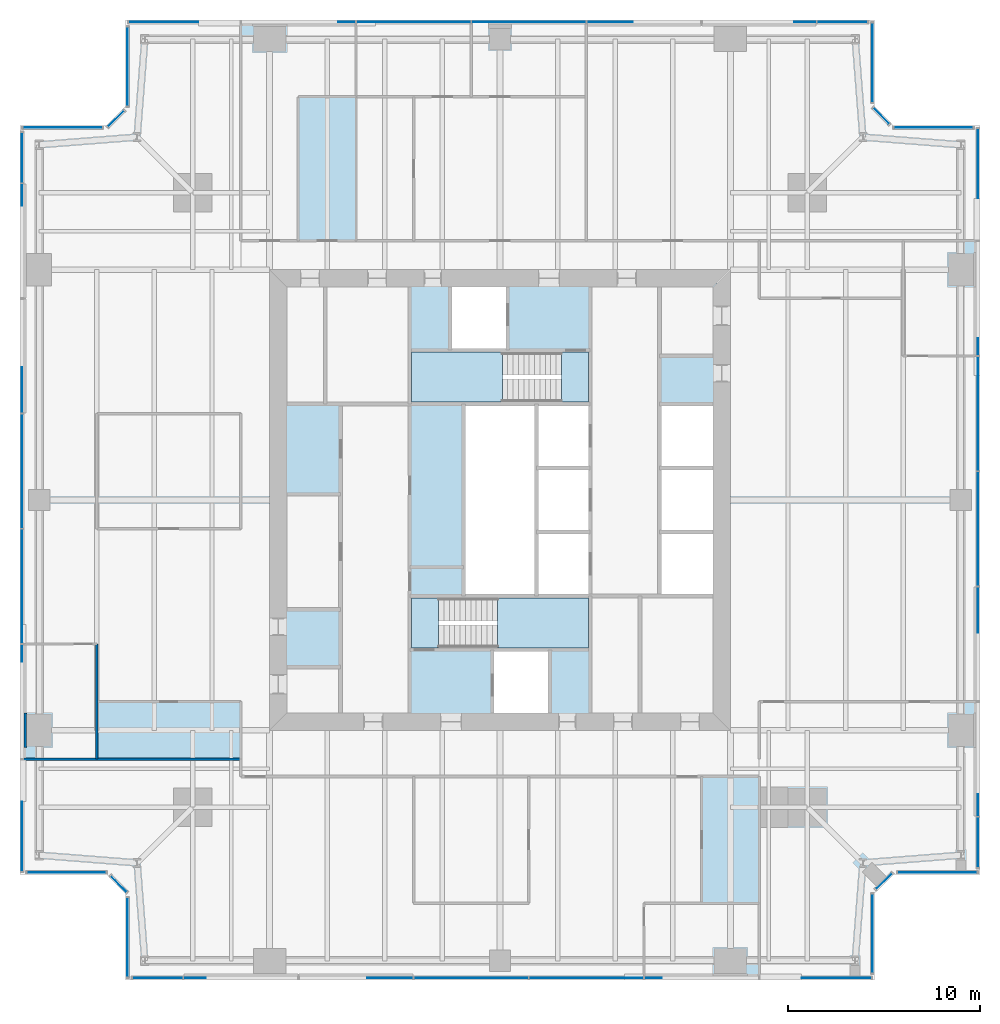
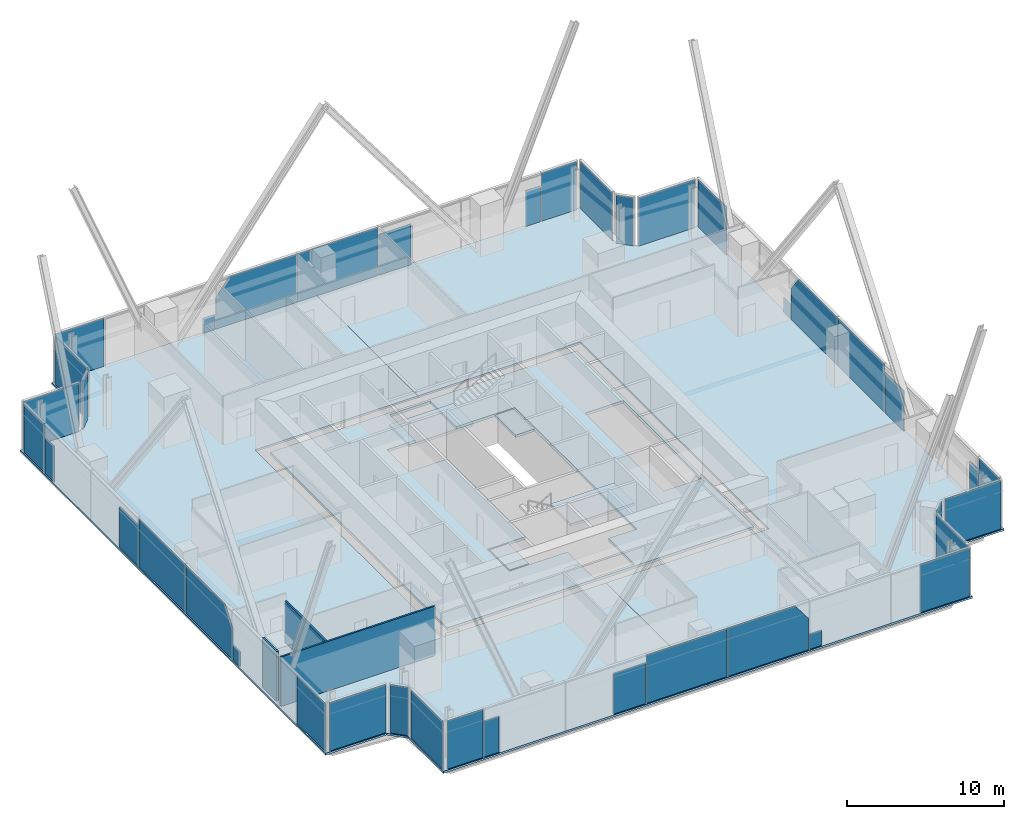
# One storey, part 8 of 13: 40 plates, 7 slabs, 3 walls, 18 elements without a shape of their own.
"""IFC4 building model written with IfcOpenShell, lengths in metres."""

from ifc_helpers import new_model, si_unit, direction, frame, frame_2d, origin, origin_2d, place, context, subcontext, project, spatial, polyline, rectangle, outline, extrude, material, layer, layer_set, type_object, element, aggregate, save


model = new_model("IFC4")

# Units and contexts
model_context = context("Model", 3, precision=1e-05, world=origin(), true_north=direction((0.0, 1.0)))
body_context = subcontext(model_context, "Body", "Model", "MODEL_VIEW")
ifc_project = project(units=[si_unit("LENGTHUNIT", "METRE"), si_unit("AREAUNIT", "SQUARE_METRE"), si_unit("VOLUMEUNIT", "CUBIC_METRE"), si_unit("PLANEANGLEUNIT", "RADIAN"), si_unit("MASSUNIT", "GRAM", prefix="KILO")], contexts=[model_context])

# Site, building, storey
site_placement = place(None, origin())
site = spatial("IfcSite", under=ifc_project, at=site_placement, CompositionType="ELEMENT")
building_placement = place(site_placement, origin())
building = spatial("IfcBuilding", under=site, at=building_placement, Name="Fenwick Lantern Interchange", CompositionType="ELEMENT")
storey_placement = place(building_placement, frame((0.0, 0.0, 201.800048828125)))
storey = spatial("IfcBuildingStorey", under=building, at=storey_placement, Name="L47", CompositionType="ELEMENT", Elevation=201.800048828125)

# Slabs
ifc_material_1 = material(Name="Concrete f'c 35 MPa", Category="concrete")
ifc_layer_1 = layer(ifc_material_1, 0.199951171875)
ifc_layer_set_1 = layer_set([ifc_layer_1], Name="CORE FLOOR SLAB 200")
slab_type_1 = type_object("IfcSlabType", Name="CORE FLOOR SLAB 200", PredefinedType="FLOOR", material=ifc_layer_set_1)
slab_1_placement = place(storey_placement, frame((0.0, 0.0, -0.199951171875)))
element("IfcSlab", 1, at=slab_1_placement, inside=storey, type_object=slab_type_1, Name="L47/SLAB/CORE", PredefinedType="FLOOR", context=body_context, shape_type="SweptSolid", body=[
    extrude(outline(polyline([(13.699951171875, 36.300048828125), (36.300048828125, 36.300048828125), (36.300048828125, 13.699951171875), (13.699951171875, 13.699951171875), (13.699951171875, 36.300048828125)]), holes=[polyline([(24.60009765625, 13.89990234375), (27.60009765625, 13.89990234375), (27.60009765625, 17.199951171875), (29.699951171875, 17.199951171875), (29.699951171875, 20.0), (29.699951171875, 23.333251953125), (29.699951171875, 26.666748046875), (29.699951171875, 30.0), (29.699951171875, 32.800048828125), (25.39990234375, 32.800048828125), (25.39990234375, 36.10009765625), (22.39990234375, 36.10009765625), (22.39990234375, 32.800048828125), (20.300048828125, 32.800048828125), (20.300048828125, 30.0), (23.10009765625, 30.0), (23.10009765625, 20.0), (20.300048828125, 20.0), (20.300048828125, 17.199951171875), (24.60009765625, 17.199951171875), (24.60009765625, 13.89990234375)]), polyline([(33.300048828125, 23.333251953125), (33.300048828125, 20.0), (36.10009765625, 20.0), (36.10009765625, 23.333251953125), (36.10009765625, 26.666748046875), (36.10009765625, 30.0), (33.300048828125, 30.0), (33.300048828125, 26.666748046875), (33.300048828125, 23.333251953125)])]), origin(), (0.0, 0.0, 1.0), 0.199951171875),
])
ifc_material_2 = material(Name="Concrete f'c 35 MPa", Category="concrete")
ifc_layer_2 = layer(ifc_material_2, 0.14990234375)
ifc_layer_set_2 = layer_set([ifc_layer_2], Name="Concrete f'c 35 MPa")
slab_type_2 = type_object("IfcSlabType", Name="FLOOR SLAB 150", PredefinedType="FLOOR", material=ifc_layer_set_2)
slab_2_placement = place(storey_placement, frame((0.0, 0.0, -0.150146484375)))
element("IfcSlab", 2, at=slab_2_placement, inside=storey, type_object=slab_type_2, Name="L47/SLAB/FW", PredefinedType="FLOOR", context=body_context, shape_type="SweptSolid", body=[
    extrude(outline(polyline([(5.5, 0.0), (5.5, 4.5), (4.5, 5.5), (0.0, 5.5), (0.0, 44.5), (4.5, 44.5), (5.5, 45.5), (5.5, 50.0), (25.0, 50.0), (25.0, 37.0), (13.0, 37.0), (13.0, 13.0), (25.0, 13.0), (25.0, 0.0), (5.5, 0.0)])), origin(), (0.0, 0.0, 1.0), 0.150146484375),
])
slab_3_placement = place(storey_placement, frame((0.0, 0.0, -0.150146484375)))
element("IfcSlab", 3, at=slab_3_placement, inside=storey, type_object=slab_type_2, Name="L47/SLAB/FE", PredefinedType="FLOOR", context=body_context, shape_type="SweptSolid", body=[
    extrude(outline(polyline([(44.5, 50.0), (44.5, 45.5), (45.5, 44.5), (50.0, 44.5), (50.0, 5.5), (45.5, 5.5), (44.5, 4.5), (44.5, 0.0), (25.0, 0.0), (25.0, 13.0), (37.0, 13.0), (37.0, 37.0), (25.0, 37.0), (25.0, 50.0), (44.5, 50.0)])), origin(), (0.0, 0.0, 1.0), 0.150146484375),
])

# Curtain wall, plates
ifc_material_3 = material(Name="Aluminium curtain wall frame", Category="aluminium")
curtain_wall_type = type_object("IfcCurtainWallType", Name="OFFICE CURTAIN WALL", PredefinedType="USERDEFINED", material=ifc_material_3)
curtain_wall_1_placement = place(storey_placement, origin())
curtain_wall_1 = element("IfcCurtainWall", 4, at=curtain_wall_1_placement, inside=storey, type_object=curtain_wall_type, Name="Office curtain wall 01", ObjectType="OFFICE CURTAIN WALL", PredefinedType="USERDEFINED")
ifc_material_4 = material(Name="Vision glass, clear low-iron double glazed", Category="glass")
ifc_layer_3 = layer(ifc_material_4, 0.031982421875)
ifc_layer_set_3 = layer_set([ifc_layer_3], Name="OFFICE CURTAIN WALL PANEL 32")
plate_type = type_object("IfcPlateType", Name="OFFICE CURTAIN WALL PANEL 32", PredefinedType="CURTAIN_PANEL", material=ifc_layer_set_3)
plate_1_placement = place(storey_placement, frame((7.166259765625, 0.10009765625, 0.0), z_axis=(0.0, 0.0, 1.0), x_axis=(1.0, 0.0, 0.0)))
plate_1 = element("IfcPlate", 5, at=plate_1_placement, type_object=plate_type, Name="L47/CW/01/P00", PredefinedType="CURTAIN_PANEL", context=body_context, shape_type="SweptSolid", body=[
    extrude(rectangle(XDim=2.6025390625, YDim=0.031982421875, at=origin_2d()), origin(), (0.0, 0.0, 1.0), 3.75),
])
plate_2_placement = place(storey_placement, frame((5.60009765625, 0.10009765625, 0.0), z_axis=(0.0, 0.0, 1.0), x_axis=(1.0, 0.0, 0.0)))
plate_2 = element("IfcPlate", 6, at=plate_2_placement, type_object=plate_type, Name="L47/CW/01/P01a", PredefinedType="CURTAIN_PANEL", context=body_context, shape_type="SweptSolid", body=[
    extrude(outline(polyline([(2.9326171875, 0.0), (4.072509765625, 0.0), (4.072509765625, 2.80224609375), (2.9326171875, 2.80224609375), (2.9326171875, 0.0)])), frame((0.0, 0.01611328125, 0.0), z_axis=(0.0, -1.0, 0.0), x_axis=(1.0, 0.0, 0.0)), (0.0, 0.0, 1.0), 0.031982421875),
])
plate_3_placement = place(storey_placement, frame((5.60009765625, 0.10009765625, 0.0), z_axis=(0.0, 0.0, 1.0), x_axis=(1.0, 0.0, 0.0)))
plate_3 = element("IfcPlate", 7, at=plate_3_placement, type_object=plate_type, Name="L47/CW/01/P02a", PredefinedType="CURTAIN_PANEL", context=body_context, shape_type="SweptSolid", body=[
    extrude(outline(polyline([(12.484619140625, 0.0), (14.867431640625, 0.0), (14.867431640625, 3.17333984375), (12.484619140625, 3.17333984375), (12.484619140625, 0.0)])), frame((0.0, 0.01611328125, 0.0), z_axis=(0.0, -1.0, 0.0), x_axis=(1.0, 0.0, 0.0)), (0.0, 0.0, 1.0), 0.031982421875),
])
plate_4_placement = place(storey_placement, frame((23.5, 0.10009765625, 0.0), z_axis=(0.0, 0.0, 1.0), x_axis=(1.0, 0.0, 0.0)))
plate_4 = element("IfcPlate", 8, at=plate_4_placement, type_object=plate_type, Name="L47/CW/01/P03", PredefinedType="CURTAIN_PANEL", context=body_context, shape_type="SweptSolid", body=[
    extrude(rectangle(XDim=5.93505859375, YDim=0.031982421875, at=origin_2d()), origin(), (0.0, 0.0, 1.0), 3.75),
])
plate_5_placement = place(storey_placement, frame((5.60009765625, 0.10009765625, 0.0), z_axis=(0.0, 0.0, 1.0), x_axis=(1.0, 0.0, 0.0)))
plate_5 = element("IfcPlate", 9, at=plate_5_placement, type_object=plate_type, Name="L47/CW/01/P04a", PredefinedType="CURTAIN_PANEL", context=body_context, shape_type="SweptSolid", body=[
    extrude(outline(polyline([(20.9326171875, 0.0), (26.867431640625, 0.0), (26.867431640625, 2.437255859375), (25.883056640625, 3.75), (20.9326171875, 3.75), (20.9326171875, 0.0)])), frame((0.0, 0.01611328125, 0.0), z_axis=(0.0, -1.0, 0.0), x_axis=(1.0, 0.0, 0.0)), (0.0, 0.0, 1.0), 0.031982421875),
])
plate_6_placement = place(storey_placement, frame((5.60009765625, 0.10009765625, 0.0), z_axis=(0.0, 0.0, 1.0), x_axis=(1.0, 0.0, 0.0)))
plate_6 = element("IfcPlate", 10, at=plate_6_placement, type_object=plate_type, Name="L47/CW/01/P05a", PredefinedType="CURTAIN_PANEL", context=body_context, shape_type="SweptSolid", body=[
    extrude(outline(polyline([(26.9326171875, 0.0), (27.8125, 0.0), (27.8125, 1.17724609375), (26.9326171875, 1.17724609375), (26.9326171875, 0.0)])), frame((0.0, 0.01611328125, 0.0), z_axis=(0.0, -1.0, 0.0), x_axis=(1.0, 0.0, 0.0)), (0.0, 0.0, 1.0), 0.031982421875),
])
plate_7_placement = place(storey_placement, frame((5.60009765625, 0.10009765625, 0.0), z_axis=(0.0, 0.0, 1.0), x_axis=(1.0, 0.0, 0.0)))
plate_7 = element("IfcPlate", 11, at=plate_7_placement, type_object=plate_type, Name="L47/CW/01/P06a", PredefinedType="CURTAIN_PANEL", context=body_context, shape_type="SweptSolid", body=[
    extrude(outline(polyline([(35.11474609375, 0.0), (38.735107421875, 0.0), (38.735107421875, 3.75), (35.11474609375, 3.75), (35.11474609375, 0.0)])), frame((0.0, 0.01611328125, 0.0), z_axis=(0.0, -1.0, 0.0), x_axis=(1.0, 0.0, 0.0)), (0.0, 0.0, 1.0), 0.031982421875),
])
aggregate(curtain_wall_1, [plate_1, plate_2, plate_3, plate_4, plate_5, plate_6, plate_7])

# Curtain wall, plate
curtain_wall_2_placement = place(storey_placement, origin())
curtain_wall_2 = element("IfcCurtainWall", 12, at=curtain_wall_2_placement, inside=storey, type_object=curtain_wall_type, Name="Office curtain wall 02", ObjectType="OFFICE CURTAIN WALL", PredefinedType="USERDEFINED")
plate_8_placement = place(storey_placement, frame((44.39990234375, 2.420654296875, 0.0), z_axis=(0.0, 0.0, 1.0), x_axis=(0.0, 1.0, 0.0)))
plate_8 = element("IfcPlate", 13, at=plate_8_placement, type_object=plate_type, Name="L47/CW/02/P00", PredefinedType="CURTAIN_PANEL", context=body_context, shape_type="SweptSolid", body=[
    extrude(rectangle(XDim=4.111328125, YDim=0.031982421875, at=origin_2d()), origin(), (0.0, 0.0, 1.0), 3.75),
])
aggregate(curtain_wall_2, [plate_8])

curtain_wall_3_placement = place(storey_placement, origin())
curtain_wall_3 = element("IfcCurtainWall", 14, at=curtain_wall_3_placement, inside=storey, type_object=curtain_wall_type, Name="Office curtain wall 03", ObjectType="OFFICE CURTAIN WALL", PredefinedType="USERDEFINED")
plate_9_placement = place(storey_placement, frame((45.0, 5.141357421875, 0.0), z_axis=(0.0, 0.0, 1.0), x_axis=(0.707106781187, 0.707106781187, 0.0)))
plate_9 = element("IfcPlate", 15, at=plate_9_placement, type_object=plate_type, Name="L47/CW/03/P00", PredefinedType="CURTAIN_PANEL", context=body_context, shape_type="SweptSolid", body=[
    extrude(rectangle(XDim=1.1669921875, YDim=0.031982421875, at=origin_2d()), origin(), (0.0, 0.0, 1.0), 3.75),
])
aggregate(curtain_wall_3, [plate_9])

curtain_wall_4_placement = place(storey_placement, origin())
curtain_wall_4 = element("IfcCurtainWall", 16, at=curtain_wall_4_placement, inside=storey, type_object=curtain_wall_type, Name="Office curtain wall 04", ObjectType="OFFICE CURTAIN WALL", PredefinedType="USERDEFINED")
plate_10_placement = place(storey_placement, frame((47.779296875, 5.60009765625, 0.0), z_axis=(0.0, 0.0, 1.0), x_axis=(1.0, 0.0, 0.0)))
plate_10 = element("IfcPlate", 17, at=plate_10_placement, type_object=plate_type, Name="L47/CW/04/P00", PredefinedType="CURTAIN_PANEL", context=body_context, shape_type="SweptSolid", body=[
    extrude(rectangle(XDim=4.111328125, YDim=0.031982421875, at=origin_2d()), origin(), (0.0, 0.0, 1.0), 3.75),
])
aggregate(curtain_wall_4, [plate_10])

# Curtain wall, plates
curtain_wall_5_placement = place(storey_placement, origin())
curtain_wall_5 = element("IfcCurtainWall", 18, at=curtain_wall_5_placement, inside=storey, type_object=curtain_wall_type, Name="Office curtain wall 05", ObjectType="OFFICE CURTAIN WALL", PredefinedType="USERDEFINED")
plate_11_placement = place(storey_placement, frame((49.89990234375, 7.166259765625, 0.0), z_axis=(0.0, 0.0, 1.0), x_axis=(0.0, 1.0, 0.0)))
plate_11 = element("IfcPlate", 19, at=plate_11_placement, type_object=plate_type, Name="L47/CW/05/P00", PredefinedType="CURTAIN_PANEL", context=body_context, shape_type="SweptSolid", body=[
    extrude(rectangle(XDim=2.6025390625, YDim=0.031982421875, at=origin_2d()), origin(), (0.0, 0.0, 1.0), 3.75),
])
plate_12_placement = place(storey_placement, frame((49.89990234375, 5.60009765625, 0.0), z_axis=(0.0, 0.0, 1.0), x_axis=(0.0, 1.0, 0.0)))
plate_12 = element("IfcPlate", 20, at=plate_12_placement, type_object=plate_type, Name="L47/CW/05/P01a", PredefinedType="CURTAIN_PANEL", context=body_context, shape_type="SweptSolid", body=[
    extrude(outline(polyline([(2.9326171875, 0.0), (4.072509765625, 0.0), (4.072509765625, 2.80224609375), (2.9326171875, 2.80224609375), (2.9326171875, 0.0)])), frame((0.0, 0.01611328125, 0.0), z_axis=(0.0, -1.0, 0.0), x_axis=(1.0, 0.0, 0.0)), (0.0, 0.0, 1.0), 0.031982421875),
])
plate_13_placement = place(storey_placement, frame((49.89990234375, 5.60009765625, 0.0), z_axis=(0.0, 0.0, 1.0), x_axis=(0.0, 1.0, 0.0)))
plate_13 = element("IfcPlate", 21, at=plate_13_placement, type_object=plate_type, Name="L47/CW/05/P02a", PredefinedType="CURTAIN_PANEL", context=body_context, shape_type="SweptSolid", body=[
    extrude(outline(polyline([(12.484619140625, 0.0), (14.867431640625, 0.0), (14.867431640625, 3.17333984375), (12.484619140625, 3.17333984375), (12.484619140625, 0.0)])), frame((0.0, 0.01611328125, 0.0), z_axis=(0.0, -1.0, 0.0), x_axis=(1.0, 0.0, 0.0)), (0.0, 0.0, 1.0), 0.031982421875),
])
plate_14_placement = place(storey_placement, frame((49.89990234375, 23.5, 0.0), z_axis=(0.0, 0.0, 1.0), x_axis=(0.0, 1.0, 0.0)))
plate_14 = element("IfcPlate", 22, at=plate_14_placement, type_object=plate_type, Name="L47/CW/05/P03", PredefinedType="CURTAIN_PANEL", context=body_context, shape_type="SweptSolid", body=[
    extrude(rectangle(XDim=5.93505859375, YDim=0.031982421875, at=origin_2d()), origin(), (0.0, 0.0, 1.0), 3.75),
])
plate_15_placement = place(storey_placement, frame((49.89990234375, 5.60009765625, 0.0), z_axis=(0.0, 0.0, 1.0), x_axis=(0.0, 1.0, 0.0)))
plate_15 = element("IfcPlate", 23, at=plate_15_placement, type_object=plate_type, Name="L47/CW/05/P04a", PredefinedType="CURTAIN_PANEL", context=body_context, shape_type="SweptSolid", body=[
    extrude(outline(polyline([(20.9326171875, 0.0), (26.867431640625, 0.0), (26.867431640625, 2.437255859375), (25.883056640625, 3.75), (20.9326171875, 3.75), (20.9326171875, 0.0)])), frame((0.0, 0.01611328125, 0.0), z_axis=(0.0, -1.0, 0.0), x_axis=(1.0, 0.0, 0.0)), (0.0, 0.0, 1.0), 0.031982421875),
])
plate_16_placement = place(storey_placement, frame((49.89990234375, 5.60009765625, 0.0), z_axis=(0.0, 0.0, 1.0), x_axis=(0.0, 1.0, 0.0)))
plate_16 = element("IfcPlate", 24, at=plate_16_placement, type_object=plate_type, Name="L47/CW/05/P05a", PredefinedType="CURTAIN_PANEL", context=body_context, shape_type="SweptSolid", body=[
    extrude(outline(polyline([(26.9326171875, 0.0), (27.8125, 0.0), (27.8125, 1.17724609375), (26.9326171875, 1.17724609375), (26.9326171875, 0.0)])), frame((0.0, 0.01611328125, 0.0), z_axis=(0.0, -1.0, 0.0), x_axis=(1.0, 0.0, 0.0)), (0.0, 0.0, 1.0), 0.031982421875),
])
plate_17_placement = place(storey_placement, frame((49.89990234375, 5.60009765625, 0.0), z_axis=(0.0, 0.0, 1.0), x_axis=(0.0, 1.0, 0.0)))
plate_17 = element("IfcPlate", 25, at=plate_17_placement, type_object=plate_type, Name="L47/CW/05/P06a", PredefinedType="CURTAIN_PANEL", context=body_context, shape_type="SweptSolid", body=[
    extrude(outline(polyline([(35.11474609375, 0.0), (38.735107421875, 0.0), (38.735107421875, 3.75), (35.11474609375, 3.75), (35.11474609375, 0.0)])), frame((0.0, 0.01611328125, 0.0), z_axis=(0.0, -1.0, 0.0), x_axis=(1.0, 0.0, 0.0)), (0.0, 0.0, 1.0), 0.031982421875),
])
aggregate(curtain_wall_5, [plate_11, plate_12, plate_13, plate_14, plate_15, plate_16, plate_17])

# Curtain wall, plate
curtain_wall_6_placement = place(storey_placement, origin())
curtain_wall_6 = element("IfcCurtainWall", 26, at=curtain_wall_6_placement, inside=storey, type_object=curtain_wall_type, Name="Office curtain wall 06", ObjectType="OFFICE CURTAIN WALL", PredefinedType="USERDEFINED")
plate_18_placement = place(storey_placement, frame((47.579345703125, 44.39990234375, 0.0), z_axis=(0.0, 0.0, 1.0), x_axis=(-1.0, 0.0, 0.0)))
plate_18 = element("IfcPlate", 27, at=plate_18_placement, type_object=plate_type, Name="L47/CW/06/P00", PredefinedType="CURTAIN_PANEL", context=body_context, shape_type="SweptSolid", body=[
    extrude(rectangle(XDim=4.111328125, YDim=0.031982421875, at=origin_2d()), origin(), (0.0, 0.0, 1.0), 3.75),
])
aggregate(curtain_wall_6, [plate_18])

curtain_wall_7_placement = place(storey_placement, origin())
curtain_wall_7 = element("IfcCurtainWall", 28, at=curtain_wall_7_placement, inside=storey, type_object=curtain_wall_type, Name="Office curtain wall 07", ObjectType="OFFICE CURTAIN WALL", PredefinedType="USERDEFINED")
plate_19_placement = place(storey_placement, frame((44.858642578125, 45.0, 0.0), z_axis=(0.0, 0.0, 1.0), x_axis=(-0.707106781187, 0.707106781187, 0.0)))
plate_19 = element("IfcPlate", 29, at=plate_19_placement, type_object=plate_type, Name="L47/CW/07/P00", PredefinedType="CURTAIN_PANEL", context=body_context, shape_type="SweptSolid", body=[
    extrude(rectangle(XDim=1.1669921875, YDim=0.031982421875, at=origin_2d()), origin(), (0.0, 0.0, 1.0), 3.75),
])
aggregate(curtain_wall_7, [plate_19])

curtain_wall_8_placement = place(storey_placement, origin())
curtain_wall_8 = element("IfcCurtainWall", 30, at=curtain_wall_8_placement, inside=storey, type_object=curtain_wall_type, Name="Office curtain wall 08", ObjectType="OFFICE CURTAIN WALL", PredefinedType="USERDEFINED")
plate_20_placement = place(storey_placement, frame((44.39990234375, 47.779296875, 0.0), z_axis=(0.0, 0.0, 1.0), x_axis=(0.0, 1.0, 0.0)))
plate_20 = element("IfcPlate", 31, at=plate_20_placement, type_object=plate_type, Name="L47/CW/08/P00", PredefinedType="CURTAIN_PANEL", context=body_context, shape_type="SweptSolid", body=[
    extrude(rectangle(XDim=4.111328125, YDim=0.031982421875, at=origin_2d()), origin(), (0.0, 0.0, 1.0), 3.75),
])
aggregate(curtain_wall_8, [plate_20])

# Curtain wall, plates
curtain_wall_9_placement = place(storey_placement, origin())
curtain_wall_9 = element("IfcCurtainWall", 32, at=curtain_wall_9_placement, inside=storey, type_object=curtain_wall_type, Name="Office curtain wall 09", ObjectType="OFFICE CURTAIN WALL", PredefinedType="USERDEFINED")
plate_21_placement = place(storey_placement, frame((42.833740234375, 49.89990234375, 0.0), z_axis=(0.0, 0.0, 1.0), x_axis=(-1.0, 0.0, 0.0)))
plate_21 = element("IfcPlate", 33, at=plate_21_placement, type_object=plate_type, Name="L47/CW/09/P00", PredefinedType="CURTAIN_PANEL", context=body_context, shape_type="SweptSolid", body=[
    extrude(rectangle(XDim=2.6025390625, YDim=0.031982421875, at=origin_2d()), origin(), (0.0, 0.0, 1.0), 3.75),
])
plate_22_placement = place(storey_placement, frame((44.39990234375, 49.89990234375, 0.0), z_axis=(0.0, 0.0, 1.0), x_axis=(-1.0, 0.0, 0.0)))
plate_22 = element("IfcPlate", 34, at=plate_22_placement, type_object=plate_type, Name="L47/CW/09/P01a", PredefinedType="CURTAIN_PANEL", context=body_context, shape_type="SweptSolid", body=[
    extrude(outline(polyline([(2.9326171875, 0.0), (4.072509765625, 0.0), (4.072509765625, 2.80224609375), (2.9326171875, 2.80224609375), (2.9326171875, 0.0)])), frame((0.0, 0.01611328125, 0.0), z_axis=(0.0, -1.0, 0.0), x_axis=(1.0, 0.0, 0.0)), (0.0, 0.0, 1.0), 0.031982421875),
])
plate_23_placement = place(storey_placement, frame((44.39990234375, 49.89990234375, 0.0), z_axis=(0.0, 0.0, 1.0), x_axis=(-1.0, 0.0, 0.0)))
plate_23 = element("IfcPlate", 35, at=plate_23_placement, type_object=plate_type, Name="L47/CW/09/P02a", PredefinedType="CURTAIN_PANEL", context=body_context, shape_type="SweptSolid", body=[
    extrude(outline(polyline([(12.484619140625, 0.0), (14.867431640625, 0.0), (14.867431640625, 3.17333984375), (12.484619140625, 3.17333984375), (12.484619140625, 0.0)])), frame((0.0, 0.01611328125, 0.0), z_axis=(0.0, -1.0, 0.0), x_axis=(1.0, 0.0, 0.0)), (0.0, 0.0, 1.0), 0.031982421875),
])
plate_24_placement = place(storey_placement, frame((26.5, 49.89990234375, 0.0), z_axis=(0.0, 0.0, 1.0), x_axis=(-1.0, 0.0, 0.0)))
plate_24 = element("IfcPlate", 36, at=plate_24_placement, type_object=plate_type, Name="L47/CW/09/P03", PredefinedType="CURTAIN_PANEL", context=body_context, shape_type="SweptSolid", body=[
    extrude(rectangle(XDim=5.93505859375, YDim=0.031982421875, at=origin_2d()), origin(), (0.0, 0.0, 1.0), 3.75),
])
plate_25_placement = place(storey_placement, frame((44.39990234375, 49.89990234375, 0.0), z_axis=(0.0, 0.0, 1.0), x_axis=(-1.0, 0.0, 0.0)))
plate_25 = element("IfcPlate", 37, at=plate_25_placement, type_object=plate_type, Name="L47/CW/09/P04a", PredefinedType="CURTAIN_PANEL", context=body_context, shape_type="SweptSolid", body=[
    extrude(outline(polyline([(20.9326171875, 0.0), (26.867431640625, 0.0), (26.867431640625, 2.437255859375), (25.883056640625, 3.75), (20.9326171875, 3.75), (20.9326171875, 0.0)])), frame((0.0, 0.01611328125, 0.0), z_axis=(0.0, -1.0, 0.0), x_axis=(1.0, 0.0, 0.0)), (0.0, 0.0, 1.0), 0.031982421875),
])
plate_26_placement = place(storey_placement, frame((44.39990234375, 49.89990234375, 0.0), z_axis=(0.0, 0.0, 1.0), x_axis=(-1.0, 0.0, 0.0)))
plate_26 = element("IfcPlate", 38, at=plate_26_placement, type_object=plate_type, Name="L47/CW/09/P05a", PredefinedType="CURTAIN_PANEL", context=body_context, shape_type="SweptSolid", body=[
    extrude(outline(polyline([(26.9326171875, 0.0), (27.8125, 0.0), (27.8125, 1.17724609375), (26.9326171875, 1.17724609375), (26.9326171875, 0.0)])), frame((0.0, 0.01611328125, 0.0), z_axis=(0.0, -1.0, 0.0), x_axis=(1.0, 0.0, 0.0)), (0.0, 0.0, 1.0), 0.031982421875),
])
plate_27_placement = place(storey_placement, frame((44.39990234375, 49.89990234375, 0.0), z_axis=(0.0, 0.0, 1.0), x_axis=(-1.0, 0.0, 0.0)))
plate_27 = element("IfcPlate", 39, at=plate_27_placement, type_object=plate_type, Name="L47/CW/09/P06a", PredefinedType="CURTAIN_PANEL", context=body_context, shape_type="SweptSolid", body=[
    extrude(outline(polyline([(35.11474609375, 0.0), (38.735107421875, 0.0), (38.735107421875, 3.75), (35.11474609375, 3.75), (35.11474609375, 0.0)])), frame((0.0, 0.01611328125, 0.0), z_axis=(0.0, -1.0, 0.0), x_axis=(1.0, 0.0, 0.0)), (0.0, 0.0, 1.0), 0.031982421875),
])
aggregate(curtain_wall_9, [plate_21, plate_22, plate_23, plate_24, plate_25, plate_26, plate_27])

# Curtain wall, plate
curtain_wall_10_placement = place(storey_placement, origin())
curtain_wall_10 = element("IfcCurtainWall", 40, at=curtain_wall_10_placement, inside=storey, type_object=curtain_wall_type, Name="Office curtain wall 10", ObjectType="OFFICE CURTAIN WALL", PredefinedType="USERDEFINED")
plate_28_placement = place(storey_placement, frame((5.60009765625, 47.579345703125, 0.0), z_axis=(0.0, 0.0, 1.0), x_axis=(0.0, -1.0, 0.0)))
plate_28 = element("IfcPlate", 41, at=plate_28_placement, type_object=plate_type, Name="L47/CW/10/P00", PredefinedType="CURTAIN_PANEL", context=body_context, shape_type="SweptSolid", body=[
    extrude(rectangle(XDim=4.111328125, YDim=0.031982421875, at=origin_2d()), origin(), (0.0, 0.0, 1.0), 3.75),
])
aggregate(curtain_wall_10, [plate_28])

curtain_wall_11_placement = place(storey_placement, origin())
curtain_wall_11 = element("IfcCurtainWall", 42, at=curtain_wall_11_placement, inside=storey, type_object=curtain_wall_type, Name="Office curtain wall 11", ObjectType="OFFICE CURTAIN WALL", PredefinedType="USERDEFINED")
plate_29_placement = place(storey_placement, frame((5.0, 44.858642578125, 0.0), z_axis=(0.0, 0.0, 1.0), x_axis=(-0.707106781187, -0.707106781187, 0.0)))
plate_29 = element("IfcPlate", 43, at=plate_29_placement, type_object=plate_type, Name="L47/CW/11/P00", PredefinedType="CURTAIN_PANEL", context=body_context, shape_type="SweptSolid", body=[
    extrude(rectangle(XDim=1.1669921875, YDim=0.031982421875, at=origin_2d()), origin(), (0.0, 0.0, 1.0), 3.75),
])
aggregate(curtain_wall_11, [plate_29])

curtain_wall_12_placement = place(storey_placement, origin())
curtain_wall_12 = element("IfcCurtainWall", 44, at=curtain_wall_12_placement, inside=storey, type_object=curtain_wall_type, Name="Office curtain wall 12", ObjectType="OFFICE CURTAIN WALL", PredefinedType="USERDEFINED")
plate_30_placement = place(storey_placement, frame((2.220703125, 44.39990234375, 0.0), z_axis=(0.0, 0.0, 1.0), x_axis=(-1.0, 0.0, 0.0)))
plate_30 = element("IfcPlate", 45, at=plate_30_placement, type_object=plate_type, Name="L47/CW/12/P00", PredefinedType="CURTAIN_PANEL", context=body_context, shape_type="SweptSolid", body=[
    extrude(rectangle(XDim=4.111328125, YDim=0.031982421875, at=origin_2d()), origin(), (0.0, 0.0, 1.0), 3.75),
])
aggregate(curtain_wall_12, [plate_30])

# Curtain wall, plates
curtain_wall_13_placement = place(storey_placement, origin())
curtain_wall_13 = element("IfcCurtainWall", 46, at=curtain_wall_13_placement, inside=storey, type_object=curtain_wall_type, Name="Office curtain wall 13", ObjectType="OFFICE CURTAIN WALL", PredefinedType="USERDEFINED")
plate_31_placement = place(storey_placement, frame((0.10009765625, 42.833740234375, 0.0), z_axis=(0.0, 0.0, 1.0), x_axis=(0.0, -1.0, 0.0)))
plate_31 = element("IfcPlate", 47, at=plate_31_placement, type_object=plate_type, Name="L47/CW/13/P00", PredefinedType="CURTAIN_PANEL", context=body_context, shape_type="SweptSolid", body=[
    extrude(rectangle(XDim=2.6025390625, YDim=0.031982421875, at=origin_2d()), origin(), (0.0, 0.0, 1.0), 3.75),
])
plate_32_placement = place(storey_placement, frame((0.10009765625, 44.39990234375, 0.0), z_axis=(0.0, 0.0, 1.0), x_axis=(0.0, -1.0, 0.0)))
plate_32 = element("IfcPlate", 48, at=plate_32_placement, type_object=plate_type, Name="L47/CW/13/P01a", PredefinedType="CURTAIN_PANEL", context=body_context, shape_type="SweptSolid", body=[
    extrude(outline(polyline([(2.9326171875, 0.0), (4.072509765625, 0.0), (4.072509765625, 2.80224609375), (2.9326171875, 2.80224609375), (2.9326171875, 0.0)])), frame((0.0, 0.01611328125, 0.0), z_axis=(0.0, -1.0, 0.0), x_axis=(1.0, 0.0, 0.0)), (0.0, 0.0, 1.0), 0.031982421875),
])
plate_33_placement = place(storey_placement, frame((0.10009765625, 44.39990234375, 0.0), z_axis=(0.0, 0.0, 1.0), x_axis=(0.0, -1.0, 0.0)))
plate_33 = element("IfcPlate", 49, at=plate_33_placement, type_object=plate_type, Name="L47/CW/13/P02a", PredefinedType="CURTAIN_PANEL", context=body_context, shape_type="SweptSolid", body=[
    extrude(outline(polyline([(12.484619140625, 0.0), (14.867431640625, 0.0), (14.867431640625, 3.17333984375), (12.484619140625, 3.17333984375), (12.484619140625, 0.0)])), frame((0.0, 0.01611328125, 0.0), z_axis=(0.0, -1.0, 0.0), x_axis=(1.0, 0.0, 0.0)), (0.0, 0.0, 1.0), 0.031982421875),
])
plate_34_placement = place(storey_placement, frame((0.10009765625, 26.5, 0.0), z_axis=(0.0, 0.0, 1.0), x_axis=(0.0, -1.0, 0.0)))
plate_34 = element("IfcPlate", 50, at=plate_34_placement, type_object=plate_type, Name="L47/CW/13/P03", PredefinedType="CURTAIN_PANEL", context=body_context, shape_type="SweptSolid", body=[
    extrude(rectangle(XDim=5.93505859375, YDim=0.031982421875, at=origin_2d()), origin(), (0.0, 0.0, 1.0), 3.75),
])
plate_35_placement = place(storey_placement, frame((0.10009765625, 44.39990234375, 0.0), z_axis=(0.0, 0.0, 1.0), x_axis=(0.0, -1.0, 0.0)))
plate_35 = element("IfcPlate", 51, at=plate_35_placement, type_object=plate_type, Name="L47/CW/13/P04a", PredefinedType="CURTAIN_PANEL", context=body_context, shape_type="SweptSolid", body=[
    extrude(outline(polyline([(20.9326171875, 0.0), (26.867431640625, 0.0), (26.867431640625, 2.437255859375), (25.883056640625, 3.75), (20.9326171875, 3.75), (20.9326171875, 0.0)])), frame((0.0, 0.01611328125, 0.0), z_axis=(0.0, -1.0, 0.0), x_axis=(1.0, 0.0, 0.0)), (0.0, 0.0, 1.0), 0.031982421875),
])
plate_36_placement = place(storey_placement, frame((0.10009765625, 44.39990234375, 0.0), z_axis=(0.0, 0.0, 1.0), x_axis=(0.0, -1.0, 0.0)))
plate_36 = element("IfcPlate", 52, at=plate_36_placement, type_object=plate_type, Name="L47/CW/13/P05a", PredefinedType="CURTAIN_PANEL", context=body_context, shape_type="SweptSolid", body=[
    extrude(outline(polyline([(26.9326171875, 0.0), (27.8125, 0.0), (27.8125, 1.17724609375), (26.9326171875, 1.17724609375), (26.9326171875, 0.0)])), frame((0.0, 0.01611328125, 0.0), z_axis=(0.0, -1.0, 0.0), x_axis=(1.0, 0.0, 0.0)), (0.0, 0.0, 1.0), 0.031982421875),
])
plate_37_placement = place(storey_placement, frame((0.10009765625, 44.39990234375, 0.0), z_axis=(0.0, 0.0, 1.0), x_axis=(0.0, -1.0, 0.0)))
plate_37 = element("IfcPlate", 53, at=plate_37_placement, type_object=plate_type, Name="L47/CW/13/P06a", PredefinedType="CURTAIN_PANEL", context=body_context, shape_type="SweptSolid", body=[
    extrude(outline(polyline([(35.11474609375, 0.0), (38.735107421875, 0.0), (38.735107421875, 3.75), (35.11474609375, 3.75), (35.11474609375, 0.0)])), frame((0.0, 0.01611328125, 0.0), z_axis=(0.0, -1.0, 0.0), x_axis=(1.0, 0.0, 0.0)), (0.0, 0.0, 1.0), 0.031982421875),
])
aggregate(curtain_wall_13, [plate_31, plate_32, plate_33, plate_34, plate_35, plate_36, plate_37])

# Curtain wall, plate
curtain_wall_14_placement = place(storey_placement, origin())
curtain_wall_14 = element("IfcCurtainWall", 54, at=curtain_wall_14_placement, inside=storey, type_object=curtain_wall_type, Name="Office curtain wall 14", ObjectType="OFFICE CURTAIN WALL", PredefinedType="USERDEFINED")
plate_38_placement = place(storey_placement, frame((2.420654296875, 5.60009765625, 0.0), z_axis=(0.0, 0.0, 1.0), x_axis=(1.0, 0.0, 0.0)))
plate_38 = element("IfcPlate", 55, at=plate_38_placement, type_object=plate_type, Name="L47/CW/14/P00", PredefinedType="CURTAIN_PANEL", context=body_context, shape_type="SweptSolid", body=[
    extrude(rectangle(XDim=4.111328125, YDim=0.031982421875, at=origin_2d()), origin(), (0.0, 0.0, 1.0), 3.75),
])
aggregate(curtain_wall_14, [plate_38])

curtain_wall_15_placement = place(storey_placement, origin())
curtain_wall_15 = element("IfcCurtainWall", 56, at=curtain_wall_15_placement, inside=storey, type_object=curtain_wall_type, Name="Office curtain wall 15", ObjectType="OFFICE CURTAIN WALL", PredefinedType="USERDEFINED")
plate_39_placement = place(storey_placement, frame((5.141357421875, 5.0, 0.0), z_axis=(0.0, 0.0, 1.0), x_axis=(0.707106781187, -0.707106781187, 0.0)))
plate_39 = element("IfcPlate", 57, at=plate_39_placement, type_object=plate_type, Name="L47/CW/15/P00", PredefinedType="CURTAIN_PANEL", context=body_context, shape_type="SweptSolid", body=[
    extrude(rectangle(XDim=1.1669921875, YDim=0.031982421875, at=origin_2d()), origin(), (0.0, 0.0, 1.0), 3.75),
])
aggregate(curtain_wall_15, [plate_39])

curtain_wall_16_placement = place(storey_placement, origin())
curtain_wall_16 = element("IfcCurtainWall", 58, at=curtain_wall_16_placement, inside=storey, type_object=curtain_wall_type, Name="Office curtain wall 16", ObjectType="OFFICE CURTAIN WALL", PredefinedType="USERDEFINED")
plate_40_placement = place(storey_placement, frame((5.60009765625, 2.220703125, 0.0), z_axis=(0.0, 0.0, 1.0), x_axis=(0.0, -1.0, 0.0)))
plate_40 = element("IfcPlate", 59, at=plate_40_placement, type_object=plate_type, Name="L47/CW/16/P00", PredefinedType="CURTAIN_PANEL", context=body_context, shape_type="SweptSolid", body=[
    extrude(rectangle(XDim=4.111328125, YDim=0.031982421875, at=origin_2d()), origin(), (0.0, 0.0, 1.0), 3.75),
])
aggregate(curtain_wall_16, [plate_40])

# Stair, slabs
ifc_material_5 = material(Name="Precast concrete f'c 35 MPa", Category="concrete")
stair_type = type_object("IfcStairType", Name="EXIT STAIR 1200", PredefinedType="HALF_TURN_STAIR", material=ifc_material_5)
stair_1_placement = place(storey_placement, origin())
stair_1 = element("IfcStair", 60, at=stair_1_placement, inside=storey, type_object=stair_type, Name="Exit stair ST1", PredefinedType="HALF_TURN_STAIR")
ifc_layer_4 = layer(ifc_material_1, 0.199951171875)
ifc_layer_set_4 = layer_set([ifc_layer_4], Name="STAIR LANDING 200")
slab_type_3 = type_object("IfcSlabType", Name="STAIR LANDING 200", PredefinedType="LANDING", material=ifc_layer_set_4)
slab_4_placement = place(storey_placement, frame((0.0, 0.0, 1.800048828125)))
slab_4 = element("IfcSlab", 61, at=slab_4_placement, type_object=slab_type_3, Name="ST1 landing 1", PredefinedType="LANDING", context=body_context, shape_type="SweptSolid", body=[
    extrude(outline(polyline([(24.8798828125, 17.300048828125), (29.60009765625, 17.300048828125), (29.60009765625, 19.89990234375), (24.8798828125, 19.89990234375), (24.8798828125, 17.300048828125)])), origin(), (0.0, 0.0, 1.0), 0.199951171875),
])
slab_5_placement = place(storey_placement, frame((0.0, 0.0, -0.199951171875)))
slab_5 = element("IfcSlab", 62, at=slab_5_placement, type_object=slab_type_3, Name="ST1 landing 2", PredefinedType="LANDING", context=body_context, shape_type="SweptSolid", body=[
    extrude(outline(polyline([(20.39990234375, 17.300048828125), (21.800048828125, 17.300048828125), (21.800048828125, 19.89990234375), (20.39990234375, 19.89990234375), (20.39990234375, 17.300048828125)])), origin(), (0.0, 0.0, 1.0), 0.199951171875),
])
aggregate(stair_1, [slab_4, slab_5])

stair_2_placement = place(storey_placement, origin())
stair_2 = element("IfcStair", 63, at=stair_2_placement, inside=storey, type_object=stair_type, Name="Exit stair ST2", PredefinedType="HALF_TURN_STAIR")
slab_6_placement = place(storey_placement, frame((0.0, 0.0, 1.800048828125)))
slab_6 = element("IfcSlab", 64, at=slab_6_placement, type_object=slab_type_3, Name="ST2 landing 1", PredefinedType="LANDING", context=body_context, shape_type="SweptSolid", body=[
    extrude(outline(polyline([(25.1201171875, 32.699951171875), (20.39990234375, 32.699951171875), (20.39990234375, 30.10009765625), (25.1201171875, 30.10009765625), (25.1201171875, 32.699951171875)])), origin(), (0.0, 0.0, 1.0), 0.199951171875),
])
slab_7_placement = place(storey_placement, frame((0.0, 0.0, -0.199951171875)))
slab_7 = element("IfcSlab", 65, at=slab_7_placement, type_object=slab_type_3, Name="ST2 landing 2", PredefinedType="LANDING", context=body_context, shape_type="SweptSolid", body=[
    extrude(outline(polyline([(29.60009765625, 32.699951171875), (28.199951171875, 32.699951171875), (28.199951171875, 30.10009765625), (29.60009765625, 30.10009765625), (29.60009765625, 32.699951171875)])), origin(), (0.0, 0.0, 1.0), 0.199951171875),
])
aggregate(stair_2, [slab_6, slab_7])

# Walls
ifc_material_6 = material(Name="Fire-rated gypsum board encasement on steel studs, 2 hour", Category="steel")
ifc_layer_5 = layer(ifc_material_6, 1.800048828125)
ifc_layer_set_5 = layer_set([ifc_layer_5], Name="COLUMN PIER 1800")
wall_type_1 = type_object("IfcWallType", Name="COLUMN PIER 1800", PredefinedType="PARTITIONING", material=ifc_layer_set_5)
wall_1_placement = place(storey_placement, frame((0.199951171875, 13.0, 0.0), z_axis=(0.0, 0.0, 1.0), x_axis=(1.0, 0.0, 0.0)))
element("IfcWall", 66, at=wall_1_placement, inside=storey, type_object=wall_type_1, Name="L47/W/PIER/CW4", PredefinedType="PARTITIONING", context=body_context, shape_type="SweptSolid", body=[
    extrude(rectangle(XDim=0.150146484375, YDim=1.800048828125, at=frame_2d((0.0751953125, 0.0))), origin(), (0.0, 0.0, 1.0), 3.849853515625),
])
ifc_material_7 = material(Name="Gypsum board on steel studs, acoustic", Category="steel")
ifc_layer_6 = layer(ifc_material_7, 0.125)
ifc_layer_set_6 = layer_set([ifc_layer_6], Name="OFFICE PARTITION 125")
wall_type_2 = type_object("IfcWallType", Name="OFFICE PARTITION 125", PredefinedType="PARTITIONING", material=ifc_layer_set_6)
wall_2_placement = place(storey_placement, frame((0.14990234375, 11.5, 0.0), z_axis=(0.0, 0.0, 1.0), x_axis=(1.0, 0.0, 0.0)))
element("IfcWall", 67, at=wall_2_placement, inside=storey, type_object=wall_type_2, Name="L47/W/OFF/S/BACK", PredefinedType="PARTITIONING", context=body_context, shape_type="SweptSolid", body=[
    extrude(rectangle(XDim=11.35009765625, YDim=0.125, at=frame_2d((5.675048828125, 0.0))), origin(), (0.0, 0.0, 1.0), 3.849853515625),
])
wall_3_placement = place(storey_placement, frame((4.0, 17.5, 0.0), z_axis=(0.0, 0.0, 1.0), x_axis=(0.0, -1.0, 0.0)))
element("IfcWall", 68, at=wall_3_placement, inside=storey, type_object=wall_type_2, Name="L47/W/OFF/W/Y40-2", PredefinedType="PARTITIONING", context=body_context, shape_type="SweptSolid", body=[
    extrude(rectangle(XDim=6.0, YDim=0.125, at=frame_2d((3.0, 0.0))), origin(), (0.0, 0.0, 1.0), 3.23779296875),
])

save(model, "model.ifc")
